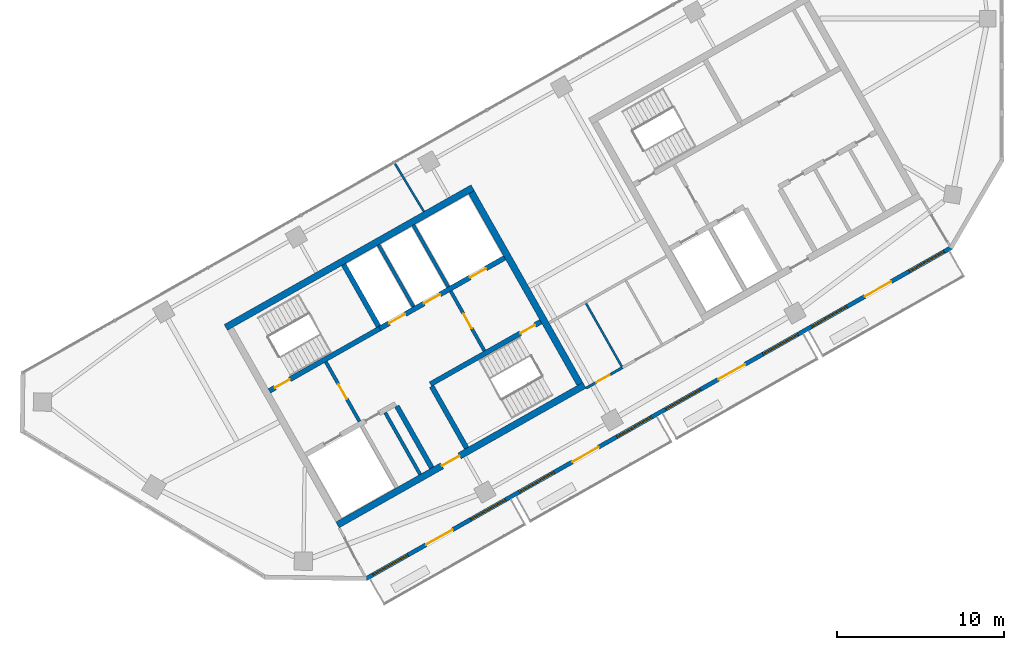
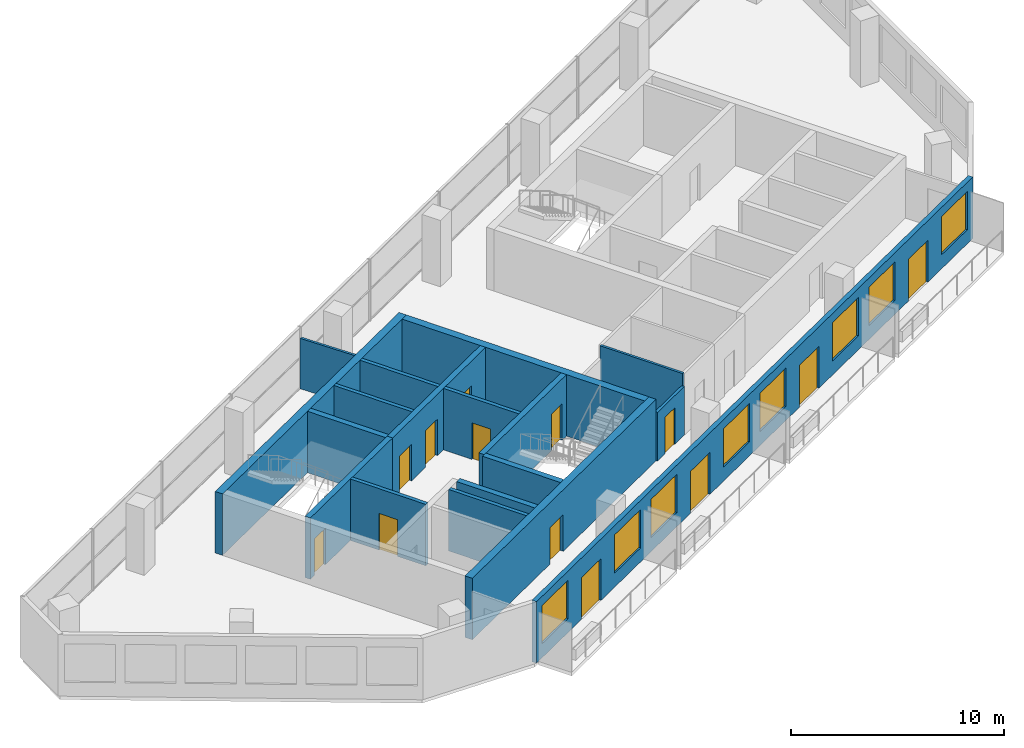
# One storey, part 6 of 10: 18 walls, 13 doors, 8 windows, 21 openings.
"""IFC4 building model written with IfcOpenShell, lengths in metres."""

from ifc_helpers import new_model, si_unit, direction, frame, frame_2d, origin, place, context, subcontext, project, spatial, rectangle, extrude, material, layer, layer_set, type_object, element, fill, save


model = new_model("IFC4")

# Units and contexts
model_context = context("Model", 3, precision=1e-05, world=origin(), true_north=direction((0.0, 1.0)))
body_context = subcontext(model_context, "Body", "Model", "MODEL_VIEW")
ifc_project = project(units=[si_unit("LENGTHUNIT", "METRE"), si_unit("AREAUNIT", "SQUARE_METRE"), si_unit("VOLUMEUNIT", "CUBIC_METRE"), si_unit("PLANEANGLEUNIT", "RADIAN"), si_unit("MASSUNIT", "GRAM", prefix="KILO")], contexts=[model_context])

# Site, building, storey
site_placement = place(None, origin())
site = spatial("IfcSite", under=ifc_project, at=site_placement, CompositionType="ELEMENT")
building_placement = place(site_placement, origin())
building = spatial("IfcBuilding", under=site, at=building_placement, Name="Binnacle Exchange Tower", CompositionType="ELEMENT")
storey_placement = place(building_placement, frame((0.0, 0.0, 335.5)))
storey = spatial("IfcBuildingStorey", under=building, at=storey_placement, Name="L76", CompositionType="ELEMENT", Elevation=335.5)

# Wall, openings, doors
ifc_material_1 = material(Name="Concrete C70/85", Category="concrete")
ifc_layer_1 = layer(ifc_material_1, 0.300048828125)
ifc_layer_set_1 = layer_set([ifc_layer_1], Name="Core wall - front 300")
wall_type_1 = type_object("IfcWallType", Name="Core wall - front 300", PredefinedType="SOLIDWALL", material=ifc_layer_set_1)
wall_1_placement = place(storey_placement, frame((-37.281982421875, 41.4345703125, 0.0), z_axis=(0.0, 0.0, 1.0), x_axis=(0.870361315115, 0.492413628113, 0.0)))
wall_1 = element("IfcWall", 1, at=wall_1_placement, inside=storey, type_object=wall_type_1, Name="Core wall CRWA5", PredefinedType="SOLIDWALL", context=body_context, shape_type="SweptSolid", body=[
    extrude(rectangle(XDim=8.599609375, YDim=0.300048828125, at=frame_2d((4.2998046875, 0.0))), origin(), (0.0, 0.0, 1.0), 3.52001953125),
])
opening_1_placement = place(wall_1_placement, frame((0.650146484375, 0.0, 0.0)))
opening_1 = element("IfcOpeningElement", 2, at=opening_1_placement, cuts=wall_1, Name="Opening LD9", PredefinedType="OPENING", context=body_context, shape_type="SweptSolid", body=[
    extrude(rectangle(XDim=1.10009765625, YDim=2.10009765625, at=frame_2d((0.550048828125, 1.050048828125))), frame((0.0, 0.159912109375, 0.0), z_axis=(0.0, -1.0, 0.0), x_axis=(1.0, 0.0, 0.0)), (0.0, 0.0, 1.0), 0.320068359375),
])
opening_2_placement = place(wall_1_placement, frame((3.050048828125, 0.0, 0.0)))
opening_2 = element("IfcOpeningElement", 3, at=opening_2_placement, cuts=wall_1, Name="Opening LD10", PredefinedType="OPENING", context=body_context, shape_type="SweptSolid", body=[
    extrude(rectangle(XDim=1.10009765625, YDim=2.10009765625, at=frame_2d((0.550048828125, 1.050048828125))), frame((0.0, 0.159912109375, 0.0), z_axis=(0.0, -1.0, 0.0), x_axis=(1.0, 0.0, 0.0)), (0.0, 0.0, 1.0), 0.320068359375),
])
opening_3_placement = place(wall_1_placement, frame((6.199951171875, 0.0, 0.0)))
opening_3 = element("IfcOpeningElement", 4, at=opening_3_placement, cuts=wall_1, Name="Opening LD13", PredefinedType="OPENING", context=body_context, shape_type="SweptSolid", body=[
    extrude(rectangle(XDim=1.10009765625, YDim=2.10009765625, at=frame_2d((0.550048828125, 1.050048828125))), frame((0.0, 0.159912109375, 0.0), z_axis=(0.0, -1.0, 0.0), x_axis=(1.0, 0.0, 0.0)), (0.0, 0.0, 1.0), 0.320068359375),
])
ifc_material_2 = material(Name="Steel door leaf", Category="steel")
door_type_1 = type_object("IfcDoorType", Name="Fire door - lift landing 1100", OperationType="NOTDEFINED", PredefinedType="DOOR", material=ifc_material_2)
door_1_placement = place(opening_1_placement, origin())
door_1 = element("IfcDoor", 5, at=door_1_placement, inside=storey, type_object=door_type_1, Name="Landing door LD9 L76", OperationType="DOUBLE_DOOR_SLIDING", OverallHeight=2.10009765625, OverallWidth=1.10009765625, PredefinedType="DOOR", context=body_context, shape_type="SweptSolid", body=[
    extrude(rectangle(XDim=1.10009765625, YDim=2.10009765625, at=frame_2d((0.550048828125, 1.050048828125))), frame((0.0, 0.02490234375, 0.0), z_axis=(0.0, -1.0, 0.0), x_axis=(1.0, 0.0, 0.0)), (0.0, 0.0, 1.0), 0.050048828125),
])
fill(opening_1, door_1)
door_2_placement = place(opening_2_placement, origin())
door_2 = element("IfcDoor", 6, at=door_2_placement, inside=storey, type_object=door_type_1, Name="Landing door LD10 L76", OperationType="DOUBLE_DOOR_SLIDING", OverallHeight=2.10009765625, OverallWidth=1.10009765625, PredefinedType="DOOR", context=body_context, shape_type="SweptSolid", body=[
    extrude(rectangle(XDim=1.10009765625, YDim=2.10009765625, at=frame_2d((0.550048828125, 1.050048828125))), frame((0.0, 0.02490234375, 0.0), z_axis=(0.0, -1.0, 0.0), x_axis=(1.0, 0.0, 0.0)), (0.0, 0.0, 1.0), 0.050048828125),
])
fill(opening_2, door_2)
door_3_placement = place(opening_3_placement, origin())
door_3 = element("IfcDoor", 7, at=door_3_placement, inside=storey, type_object=door_type_1, Name="Landing door LD13 L76", OperationType="DOUBLE_DOOR_SLIDING", OverallHeight=2.10009765625, OverallWidth=1.10009765625, PredefinedType="DOOR", context=body_context, shape_type="SweptSolid", body=[
    extrude(rectangle(XDim=1.10009765625, YDim=2.10009765625, at=frame_2d((0.550048828125, 1.050048828125))), frame((0.0, 0.02490234375, 0.0), z_axis=(0.0, -1.0, 0.0), x_axis=(1.0, 0.0, 0.0)), (0.0, 0.0, 1.0), 0.050048828125),
])
fill(opening_3, door_3)

# Wall
wall_2_placement = place(storey_placement, frame((-36.260009765625, 36.784912109375, 0.0), z_axis=(0.0, 0.0, 1.0), x_axis=(0.492422543467, -0.870356271124, 0.0)))
element("IfcWall", 8, at=wall_2_placement, inside=storey, type_object=wall_type_1, Name="Core wall CRWA13", PredefinedType="SOLIDWALL", context=body_context, shape_type="SweptSolid", body=[
    extrude(rectangle(XDim=4.25, YDim=0.300048828125, at=frame_2d((2.125, 0.0))), origin(), (0.0, 0.0, 1.0), 3.52001953125),
])

# Wall, opening, door
ifc_layer_2 = layer(ifc_material_1, 0.39990234375)
ifc_layer_set_2 = layer_set([ifc_layer_2], Name="Core wall - outer 400")
wall_type_2 = type_object("IfcWallType", Name="Core wall - outer 400", PredefinedType="SOLIDWALL", material=ifc_layer_set_2)
wall_3_placement = place(storey_placement, frame((-39.81298828125, 29.661865234375, 0.0), z_axis=(0.0, 0.0, 1.0), x_axis=(0.870350116061, 0.492433422375, 0.0)))
wall_3 = element("IfcWall", 9, at=wall_3_placement, inside=storey, type_object=wall_type_2, Name="Core wall CRWA1", PredefinedType="SOLIDWALL", context=body_context, shape_type="SweptSolid", body=[
    extrude(rectangle(XDim=17.0, YDim=0.39990234375, at=frame_2d((8.5, 0.0))), origin(), (0.0, 0.0, 1.0), 3.52001953125),
])
opening_4_placement = place(wall_3_placement, frame((7.199951171875, 0.0, 0.0)))
opening_4 = element("IfcOpeningElement", 10, at=opening_4_placement, cuts=wall_3, Name="Opening DA7", PredefinedType="OPENING", context=body_context, shape_type="SweptSolid", body=[
    extrude(rectangle(XDim=1.199951171875, YDim=2.10009765625, at=frame_2d((0.60009765625, 1.050048828125))), frame((0.0, 0.2099609375, 0.0), z_axis=(0.0, -1.0, 0.0), x_axis=(1.0, 0.0, 0.0)), (0.0, 0.0, 1.0), 0.419921875),
])
door_type_2 = type_object("IfcDoorType", Name="Fire door 1200", OperationType="NOTDEFINED", PredefinedType="DOOR", material=ifc_material_2)
door_4_placement = place(opening_4_placement, frame((1.199951171875, 0.0, 0.0), z_axis=(0.0, 0.0, 1.0), x_axis=(-1.0, 0.0, 0.0)))
door_4 = element("IfcDoor", 11, at=door_4_placement, inside=storey, type_object=door_type_2, Name="Lift lobby entrance door core A", OperationType="SINGLE_SWING_RIGHT", OverallHeight=2.10009765625, OverallWidth=1.199951171875, PredefinedType="DOOR", context=body_context, shape_type="SweptSolid", body=[
    extrude(rectangle(XDim=1.199951171875, YDim=2.10009765625, at=frame_2d((0.60009765625, 1.050048828125))), frame((0.0, 0.02490234375, 0.0), z_axis=(0.0, -1.0, 0.0), x_axis=(1.0, 0.0, 0.0)), (0.0, 0.0, 1.0), 0.050048828125),
])
fill(opening_4, door_4)

# Walls
wall_4_placement = place(storey_placement, frame((-46.510009765625, 41.498779296875, 0.0), z_axis=(0.0, 0.0, 1.0), x_axis=(0.870356271124, 0.492422543467, 0.0)))
element("IfcWall", 12, at=wall_4_placement, inside=storey, type_object=wall_type_2, Name="Core wall CRWA6", PredefinedType="SOLIDWALL", context=body_context, shape_type="SweptSolid", body=[
    extrude(rectangle(XDim=16.999755859375, YDim=0.39990234375, at=frame_2d((8.5, 0.0))), origin(), (0.0, 0.0, 1.0), 3.52001953125),
])
wall_5_placement = place(storey_placement, frame((-31.78955078125, 49.597412109375, 0.0), z_axis=(0.0, 0.0, 1.0), x_axis=(0.492421663121, -0.870356769198, 0.0)))
element("IfcWall", 13, at=wall_5_placement, inside=storey, type_object=wall_type_2, Name="Core wall CRWA22", PredefinedType="SOLIDWALL", context=body_context, shape_type="SweptSolid", body=[
    extrude(rectangle(XDim=13.199951171875, YDim=0.39990234375, at=frame_2d((6.60009765625, 0.0))), origin(), (0.0, 0.0, 1.0), 3.52001953125),
])

# Wall, opening, door
ifc_layer_3 = layer(ifc_material_1, 0.300048828125)
ifc_layer_set_3 = layer_set([ifc_layer_3], Name="Core wall - stair 300")
wall_type_3 = type_object("IfcWallType", Name="Core wall - stair 300", PredefinedType="SOLIDWALL", material=ifc_layer_set_3)
wall_6_placement = place(storey_placement, frame((-34.2451171875, 38.097412109375, 0.0), z_axis=(0.0, 0.0, 1.0), x_axis=(0.870356351998, 0.492422400523, 0.0)))
wall_6 = element("IfcWall", 14, at=wall_6_placement, inside=storey, type_object=wall_type_3, Name="Core wall CRWA3", PredefinedType="SOLIDWALL", context=body_context, shape_type="SweptSolid", body=[
    extrude(rectangle(XDim=7.60009765625, YDim=0.300048828125, at=frame_2d((3.800048828125, 0.0))), origin(), (0.0, 0.0, 1.0), 3.52001953125),
])
opening_5_placement = place(wall_6_placement, frame((6.199951171875, 0.0, 0.0)))
opening_5 = element("IfcOpeningElement", 15, at=opening_5_placement, cuts=wall_6, Name="Opening DA2", PredefinedType="OPENING", context=body_context, shape_type="SweptSolid", body=[
    extrude(rectangle(XDim=1.0, YDim=2.10009765625, at=frame_2d((0.5, 1.050048828125))), frame((0.0, 0.159912109375, 0.0), z_axis=(0.0, -1.0, 0.0), x_axis=(1.0, 0.0, 0.0)), (0.0, 0.0, 1.0), 0.320068359375),
])
door_type_3 = type_object("IfcDoorType", Name="Fire door 1000", OperationType="NOTDEFINED", PredefinedType="DOOR", material=ifc_material_2)
door_5_placement = place(opening_5_placement, frame((1.0, 0.0, 0.0), z_axis=(0.0, 0.0, 1.0), x_axis=(-1.0, 0.0, 0.0)))
door_5 = element("IfcDoor", 16, at=door_5_placement, inside=storey, type_object=door_type_3, Name="Stair door ST-A2", OperationType="SINGLE_SWING_LEFT", OverallHeight=2.10009765625, OverallWidth=1.0, PredefinedType="DOOR", context=body_context, shape_type="SweptSolid", body=[
    extrude(rectangle(XDim=1.0, YDim=2.10009765625, at=frame_2d((0.5, 1.050048828125))), frame((0.0, 0.02490234375, 0.0), z_axis=(0.0, -1.0, 0.0), x_axis=(1.0, 0.0, 0.0)), (0.0, 0.0, 1.0), 0.050048828125),
])
fill(opening_5, door_5)

wall_7_placement = place(storey_placement, frame((-43.896728515625, 37.692138671875, 0.0), z_axis=(0.0, 0.0, 1.0), x_axis=(0.870356351998, 0.492422400523, 0.0)))
wall_7 = element("IfcWall", 17, at=wall_7_placement, inside=storey, type_object=wall_type_3, Name="Core wall CRWA4", PredefinedType="SOLIDWALL", context=body_context, shape_type="SweptSolid", body=[
    extrude(rectangle(XDim=7.60009765625, YDim=0.300048828125, at=frame_2d((3.800048828125, 0.0))), origin(), (0.0, 0.0, 1.0), 3.52001953125),
])
opening_6_placement = place(wall_7_placement, frame((0.39990234375, 0.0, 0.0)))
opening_6 = element("IfcOpeningElement", 18, at=opening_6_placement, cuts=wall_7, Name="Opening DA1", PredefinedType="OPENING", context=body_context, shape_type="SweptSolid", body=[
    extrude(rectangle(XDim=1.0, YDim=2.10009765625, at=frame_2d((0.5, 1.050048828125))), frame((0.0, 0.159912109375, 0.0), z_axis=(0.0, -1.0, 0.0), x_axis=(1.0, 0.0, 0.0)), (0.0, 0.0, 1.0), 0.320068359375),
])
door_6_placement = place(opening_6_placement, origin())
door_6 = element("IfcDoor", 19, at=door_6_placement, inside=storey, type_object=door_type_3, Name="Stair door ST-A1", OperationType="SINGLE_SWING_LEFT", OverallHeight=2.10009765625, OverallWidth=1.0, PredefinedType="DOOR", context=body_context, shape_type="SweptSolid", body=[
    extrude(rectangle(XDim=1.0, YDim=2.10009765625, at=frame_2d((0.5, 1.050048828125))), frame((0.0, 0.02490234375, 0.0), z_axis=(0.0, -1.0, 0.0), x_axis=(1.0, 0.0, 0.0)), (0.0, 0.0, 1.0), 0.050048828125),
])
fill(opening_6, door_6)

# Walls
for number, where, z_axis, x_axis, name in (
    (20, (-39.44873046875, 45.263916015625, 0.0), (0.0, 0.0, 1.0), (0.492422543467, -0.870356271124, 0.0), "Core wall CRWA14"),
    (21, (-34.171142578125, 37.966796875, 0.0), (0.0, 0.0, 1.0), (0.492422543467, -0.870356271124, 0.0), "Core wall CRWA16"),
):
    element("IfcWall", number, at=place(storey_placement, frame(where, z_axis=z_axis, x_axis=x_axis)), inside=storey, type_object=wall_type_3, Name=name, PredefinedType="SOLIDWALL", context=body_context, shape_type="SweptSolid", body=[
        extrude(rectangle(XDim=4.25, YDim=0.300048828125, at=frame_2d((2.125, 0.0))), origin(), (0.0, 0.0, 1.0), 3.52001953125),
    ])

# Wall, openings, doors, windows
ifc_material_3 = material(Name="Bronze aluminium cladding", Category="aluminium")
ifc_layer_4 = layer(ifc_material_3, 0.25)
ifc_layer_set_4 = layer_set([ifc_layer_4], Name="External wall - window wall 250")
wall_type_4 = type_object("IfcWallType", Name="External wall - window wall 250", PredefinedType="STANDARD", material=ifc_layer_set_4)
wall_8_placement = place(storey_placement, frame((-3.016845703125, 46.293212890625, 0.0), z_axis=(0.0, 0.0, 1.0), x_axis=(-0.870355474887, -0.492423950812, 0.0)))
wall_8 = element("IfcWall", 22, at=wall_8_placement, inside=storey, type_object=wall_type_4, Name="External wall EW-H07 L76", PredefinedType="STANDARD", context=body_context, shape_type="SweptSolid", body=[
    extrude(rectangle(XDim=40.34033203125, YDim=0.25, at=frame_2d((20.170166015625, 0.0))), origin(), (0.0, 0.0, 1.0), 3.52001953125),
])
opening_7_placement = place(wall_8_placement, frame((37.428466796875, 0.0, 0.800048828125)))
opening_7 = element("IfcOpeningElement", 23, at=opening_7_placement, cuts=wall_8, Name="Opening WR2", PredefinedType="OPENING", context=body_context, shape_type="SweptSolid", body=[
    extrude(rectangle(XDim=2.39990234375, YDim=2.199951171875, at=frame_2d((1.199951171875, 1.10009765625))), frame((0.0, 0.135009765625, 0.0), z_axis=(0.0, -1.0, 0.0), x_axis=(1.0, 0.0, 0.0)), (0.0, 0.0, 1.0), 0.27001953125),
])
opening_8_placement = place(wall_8_placement, frame((34.372314453125, 0.0, 0.0)))
opening_8 = element("IfcOpeningElement", 24, at=opening_8_placement, cuts=wall_8, Name="Opening D-FS22-01", PredefinedType="OPENING", context=body_context, shape_type="SweptSolid", body=[
    extrude(rectangle(XDim=1.800048828125, YDim=2.39990234375, at=frame_2d((0.89990234375, 1.199951171875))), frame((0.0, 0.135009765625, 0.0), z_axis=(0.0, -1.0, 0.0), x_axis=(1.0, 0.0, 0.0)), (0.0, 0.0, 1.0), 0.27001953125),
])
opening_9_placement = place(wall_8_placement, frame((30.71630859375, 0.0, 0.800048828125)))
opening_9 = element("IfcOpeningElement", 25, at=opening_9_placement, cuts=wall_8, Name="Opening WR2", PredefinedType="OPENING", context=body_context, shape_type="SweptSolid", body=[
    extrude(rectangle(XDim=2.39990234375, YDim=2.199951171875, at=frame_2d((1.199951171875, 1.10009765625))), frame((0.0, 0.135009765625, 0.0), z_axis=(0.0, -1.0, 0.0), x_axis=(1.0, 0.0, 0.0)), (0.0, 0.0, 1.0), 0.27001953125),
])
opening_10_placement = place(wall_8_placement, frame((27.3603515625, 0.0, 0.800048828125)))
opening_10 = element("IfcOpeningElement", 26, at=opening_10_placement, cuts=wall_8, Name="Opening WR2", PredefinedType="OPENING", context=body_context, shape_type="SweptSolid", body=[
    extrude(rectangle(XDim=2.39990234375, YDim=2.199951171875, at=frame_2d((1.199951171875, 1.10009765625))), frame((0.0, 0.135009765625, 0.0), z_axis=(0.0, -1.0, 0.0), x_axis=(1.0, 0.0, 0.0)), (0.0, 0.0, 1.0), 0.27001953125),
])
opening_11_placement = place(wall_8_placement, frame((24.30419921875, 0.0, 0.0)))
opening_11 = element("IfcOpeningElement", 27, at=opening_11_placement, cuts=wall_8, Name="Opening D-FS22-02", PredefinedType="OPENING", context=body_context, shape_type="SweptSolid", body=[
    extrude(rectangle(XDim=1.800048828125, YDim=2.39990234375, at=frame_2d((0.89990234375, 1.199951171875))), frame((0.0, 0.135009765625, 0.0), z_axis=(0.0, -1.0, 0.0), x_axis=(1.0, 0.0, 0.0)), (0.0, 0.0, 1.0), 0.27001953125),
])
opening_12_placement = place(wall_8_placement, frame((20.648193359375, 0.0, 0.800048828125)))
opening_12 = element("IfcOpeningElement", 28, at=opening_12_placement, cuts=wall_8, Name="Opening WR2", PredefinedType="OPENING", context=body_context, shape_type="SweptSolid", body=[
    extrude(rectangle(XDim=2.39990234375, YDim=2.199951171875, at=frame_2d((1.199951171875, 1.10009765625))), frame((0.0, 0.135009765625, 0.0), z_axis=(0.0, -1.0, 0.0), x_axis=(1.0, 0.0, 0.0)), (0.0, 0.0, 1.0), 0.27001953125),
])
opening_13_placement = place(wall_8_placement, frame((17.2919921875, 0.0, 0.800048828125)))
opening_13 = element("IfcOpeningElement", 29, at=opening_13_placement, cuts=wall_8, Name="Opening WR2", PredefinedType="OPENING", context=body_context, shape_type="SweptSolid", body=[
    extrude(rectangle(XDim=2.39990234375, YDim=2.199951171875, at=frame_2d((1.199951171875, 1.10009765625))), frame((0.0, 0.135009765625, 0.0), z_axis=(0.0, -1.0, 0.0), x_axis=(1.0, 0.0, 0.0)), (0.0, 0.0, 1.0), 0.27001953125),
])
opening_14_placement = place(wall_8_placement, frame((14.236083984375, 0.0, 0.0)))
opening_14 = element("IfcOpeningElement", 30, at=opening_14_placement, cuts=wall_8, Name="Opening D-FS22-03", PredefinedType="OPENING", context=body_context, shape_type="SweptSolid", body=[
    extrude(rectangle(XDim=1.800048828125, YDim=2.39990234375, at=frame_2d((0.89990234375, 1.199951171875))), frame((0.0, 0.135009765625, 0.0), z_axis=(0.0, -1.0, 0.0), x_axis=(1.0, 0.0, 0.0)), (0.0, 0.0, 1.0), 0.27001953125),
])
opening_15_placement = place(wall_8_placement, frame((10.580078125, 0.0, 0.800048828125)))
opening_15 = element("IfcOpeningElement", 31, at=opening_15_placement, cuts=wall_8, Name="Opening WR2", PredefinedType="OPENING", context=body_context, shape_type="SweptSolid", body=[
    extrude(rectangle(XDim=2.39990234375, YDim=2.199951171875, at=frame_2d((1.199951171875, 1.10009765625))), frame((0.0, 0.135009765625, 0.0), z_axis=(0.0, -1.0, 0.0), x_axis=(1.0, 0.0, 0.0)), (0.0, 0.0, 1.0), 0.27001953125),
])
opening_16_placement = place(wall_8_placement, frame((7.223876953125, 0.0, 0.800048828125)))
opening_16 = element("IfcOpeningElement", 32, at=opening_16_placement, cuts=wall_8, Name="Opening WR2", PredefinedType="OPENING", context=body_context, shape_type="SweptSolid", body=[
    extrude(rectangle(XDim=2.39990234375, YDim=2.199951171875, at=frame_2d((1.199951171875, 1.10009765625))), frame((0.0, 0.135009765625, 0.0), z_axis=(0.0, -1.0, 0.0), x_axis=(1.0, 0.0, 0.0)), (0.0, 0.0, 1.0), 0.27001953125),
])
opening_17_placement = place(wall_8_placement, frame((4.16796875, 0.0, 0.0)))
opening_17 = element("IfcOpeningElement", 33, at=opening_17_placement, cuts=wall_8, Name="Opening D-FS22-04", PredefinedType="OPENING", context=body_context, shape_type="SweptSolid", body=[
    extrude(rectangle(XDim=1.800048828125, YDim=2.39990234375, at=frame_2d((0.89990234375, 1.199951171875))), frame((0.0, 0.135009765625, 0.0), z_axis=(0.0, -1.0, 0.0), x_axis=(1.0, 0.0, 0.0)), (0.0, 0.0, 1.0), 0.27001953125),
])
opening_18_placement = place(wall_8_placement, frame((0.51171875, 0.0, 0.800048828125)))
opening_18 = element("IfcOpeningElement", 34, at=opening_18_placement, cuts=wall_8, Name="Opening WR2", PredefinedType="OPENING", context=body_context, shape_type="SweptSolid", body=[
    extrude(rectangle(XDim=2.39990234375, YDim=2.199951171875, at=frame_2d((1.199951171875, 1.10009765625))), frame((0.0, 0.135009765625, 0.0), z_axis=(0.0, -1.0, 0.0), x_axis=(1.0, 0.0, 0.0)), (0.0, 0.0, 1.0), 0.27001953125),
])
ifc_material_4 = material(Name="Bronze anodised aluminium frame", Category="aluminium")
door_type_4 = type_object("IfcDoorType", Name="DB DOOR 1800x2400", OperationType="DOUBLE_DOOR_SINGLE_SWING", PredefinedType="DOOR", material=ifc_material_4)
door_7_placement = place(opening_8_placement, origin())
door_7 = element("IfcDoor", 35, at=door_7_placement, inside=storey, type_object=door_type_4, Name="Door D-FS22-01 L76", OperationType="DOUBLE_DOOR_SINGLE_SWING", OverallHeight=2.39990234375, OverallWidth=1.800048828125, PredefinedType="DOOR", context=body_context, shape_type="SweptSolid", body=[
    extrude(rectangle(XDim=1.800048828125, YDim=2.39990234375, at=frame_2d((0.89990234375, 1.199951171875))), frame((0.0, 0.02490234375, 0.0), z_axis=(0.0, -1.0, 0.0), x_axis=(1.0, 0.0, 0.0)), (0.0, 0.0, 1.0), 0.050048828125),
])
fill(opening_8, door_7)
door_8_placement = place(opening_11_placement, origin())
door_8 = element("IfcDoor", 36, at=door_8_placement, inside=storey, type_object=door_type_4, Name="Door D-FS22-02 L76", OperationType="DOUBLE_DOOR_SINGLE_SWING", OverallHeight=2.39990234375, OverallWidth=1.800048828125, PredefinedType="DOOR", context=body_context, shape_type="SweptSolid", body=[
    extrude(rectangle(XDim=1.800048828125, YDim=2.39990234375, at=frame_2d((0.89990234375, 1.199951171875))), frame((0.0, 0.02490234375, 0.0), z_axis=(0.0, -1.0, 0.0), x_axis=(1.0, 0.0, 0.0)), (0.0, 0.0, 1.0), 0.050048828125),
])
fill(opening_11, door_8)
door_9_placement = place(opening_14_placement, origin())
door_9 = element("IfcDoor", 37, at=door_9_placement, inside=storey, type_object=door_type_4, Name="Door D-FS22-03 L76", OperationType="DOUBLE_DOOR_SINGLE_SWING", OverallHeight=2.39990234375, OverallWidth=1.800048828125, PredefinedType="DOOR", context=body_context, shape_type="SweptSolid", body=[
    extrude(rectangle(XDim=1.800048828125, YDim=2.39990234375, at=frame_2d((0.89990234375, 1.199951171875))), frame((0.0, 0.02490234375, 0.0), z_axis=(0.0, -1.0, 0.0), x_axis=(1.0, 0.0, 0.0)), (0.0, 0.0, 1.0), 0.050048828125),
])
fill(opening_14, door_9)
door_10_placement = place(opening_17_placement, origin())
door_10 = element("IfcDoor", 38, at=door_10_placement, inside=storey, type_object=door_type_4, Name="Door D-FS22-04 L76", OperationType="DOUBLE_DOOR_SINGLE_SWING", OverallHeight=2.39990234375, OverallWidth=1.800048828125, PredefinedType="DOOR", context=body_context, shape_type="SweptSolid", body=[
    extrude(rectangle(XDim=1.800048828125, YDim=2.39990234375, at=frame_2d((0.89990234375, 1.199951171875))), frame((0.0, 0.02490234375, 0.0), z_axis=(0.0, -1.0, 0.0), x_axis=(1.0, 0.0, 0.0)), (0.0, 0.0, 1.0), 0.050048828125),
])
fill(opening_17, door_10)
window_type = type_object("IfcWindowType", Name="WR2 WINDOW 2400x2200", PartitioningType="SINGLE_PANEL", PredefinedType="WINDOW", material=ifc_material_4)
window_1_placement = place(opening_7_placement, origin())
window_1 = element("IfcWindow", 39, at=window_1_placement, inside=storey, type_object=window_type, Name="Window WR2 L76", OverallHeight=2.199951171875, OverallWidth=2.39990234375, PartitioningType="SINGLE_PANEL", PredefinedType="WINDOW", context=body_context, shape_type="SweptSolid", body=[
    extrude(rectangle(XDim=2.39990234375, YDim=2.199951171875, at=frame_2d((1.199951171875, 1.10009765625))), frame((0.0, 0.030029296875, 0.0), z_axis=(0.0, -1.0, 0.0), x_axis=(1.0, 0.0, 0.0)), (0.0, 0.0, 1.0), 0.06005859375),
])
fill(opening_7, window_1)
window_2_placement = place(opening_9_placement, origin())
window_2 = element("IfcWindow", 40, at=window_2_placement, inside=storey, type_object=window_type, Name="Window WR2 L76", OverallHeight=2.199951171875, OverallWidth=2.39990234375, PartitioningType="SINGLE_PANEL", PredefinedType="WINDOW", context=body_context, shape_type="SweptSolid", body=[
    extrude(rectangle(XDim=2.39990234375, YDim=2.199951171875, at=frame_2d((1.199951171875, 1.10009765625))), frame((0.0, 0.030029296875, 0.0), z_axis=(0.0, -1.0, 0.0), x_axis=(1.0, 0.0, 0.0)), (0.0, 0.0, 1.0), 0.06005859375),
])
fill(opening_9, window_2)
window_3_placement = place(opening_10_placement, origin())
window_3 = element("IfcWindow", 41, at=window_3_placement, inside=storey, type_object=window_type, Name="Window WR2 L76", OverallHeight=2.199951171875, OverallWidth=2.39990234375, PartitioningType="SINGLE_PANEL", PredefinedType="WINDOW", context=body_context, shape_type="SweptSolid", body=[
    extrude(rectangle(XDim=2.39990234375, YDim=2.199951171875, at=frame_2d((1.199951171875, 1.10009765625))), frame((0.0, 0.030029296875, 0.0), z_axis=(0.0, -1.0, 0.0), x_axis=(1.0, 0.0, 0.0)), (0.0, 0.0, 1.0), 0.06005859375),
])
fill(opening_10, window_3)
window_4_placement = place(opening_12_placement, origin())
window_4 = element("IfcWindow", 42, at=window_4_placement, inside=storey, type_object=window_type, Name="Window WR2 L76", OverallHeight=2.199951171875, OverallWidth=2.39990234375, PartitioningType="SINGLE_PANEL", PredefinedType="WINDOW", context=body_context, shape_type="SweptSolid", body=[
    extrude(rectangle(XDim=2.39990234375, YDim=2.199951171875, at=frame_2d((1.199951171875, 1.10009765625))), frame((0.0, 0.030029296875, 0.0), z_axis=(0.0, -1.0, 0.0), x_axis=(1.0, 0.0, 0.0)), (0.0, 0.0, 1.0), 0.06005859375),
])
fill(opening_12, window_4)
window_5_placement = place(opening_13_placement, origin())
window_5 = element("IfcWindow", 43, at=window_5_placement, inside=storey, type_object=window_type, Name="Window WR2 L76", OverallHeight=2.199951171875, OverallWidth=2.39990234375, PartitioningType="SINGLE_PANEL", PredefinedType="WINDOW", context=body_context, shape_type="SweptSolid", body=[
    extrude(rectangle(XDim=2.39990234375, YDim=2.199951171875, at=frame_2d((1.199951171875, 1.10009765625))), frame((0.0, 0.030029296875, 0.0), z_axis=(0.0, -1.0, 0.0), x_axis=(1.0, 0.0, 0.0)), (0.0, 0.0, 1.0), 0.06005859375),
])
fill(opening_13, window_5)
window_6_placement = place(opening_15_placement, origin())
window_6 = element("IfcWindow", 44, at=window_6_placement, inside=storey, type_object=window_type, Name="Window WR2 L76", OverallHeight=2.199951171875, OverallWidth=2.39990234375, PartitioningType="SINGLE_PANEL", PredefinedType="WINDOW", context=body_context, shape_type="SweptSolid", body=[
    extrude(rectangle(XDim=2.39990234375, YDim=2.199951171875, at=frame_2d((1.199951171875, 1.10009765625))), frame((0.0, 0.030029296875, 0.0), z_axis=(0.0, -1.0, 0.0), x_axis=(1.0, 0.0, 0.0)), (0.0, 0.0, 1.0), 0.06005859375),
])
fill(opening_15, window_6)
window_7_placement = place(opening_16_placement, origin())
window_7 = element("IfcWindow", 45, at=window_7_placement, inside=storey, type_object=window_type, Name="Window WR2 L76", OverallHeight=2.199951171875, OverallWidth=2.39990234375, PartitioningType="SINGLE_PANEL", PredefinedType="WINDOW", context=body_context, shape_type="SweptSolid", body=[
    extrude(rectangle(XDim=2.39990234375, YDim=2.199951171875, at=frame_2d((1.199951171875, 1.10009765625))), frame((0.0, 0.030029296875, 0.0), z_axis=(0.0, -1.0, 0.0), x_axis=(1.0, 0.0, 0.0)), (0.0, 0.0, 1.0), 0.06005859375),
])
fill(opening_16, window_7)
window_8_placement = place(opening_18_placement, origin())
window_8 = element("IfcWindow", 46, at=window_8_placement, inside=storey, type_object=window_type, Name="Window WR2 L76", OverallHeight=2.199951171875, OverallWidth=2.39990234375, PartitioningType="SINGLE_PANEL", PredefinedType="WINDOW", context=body_context, shape_type="SweptSolid", body=[
    extrude(rectangle(XDim=2.39990234375, YDim=2.199951171875, at=frame_2d((1.199951171875, 1.10009765625))), frame((0.0, 0.030029296875, 0.0), z_axis=(0.0, -1.0, 0.0), x_axis=(1.0, 0.0, 0.0)), (0.0, 0.0, 1.0), 0.06005859375),
])
fill(opening_18, window_8)

# Wall, opening, door
ifc_material_5 = material(Name="Masonry block wall", Category="masonry")
ifc_layer_5 = layer(ifc_material_5, 0.199951171875)
ifc_layer_set_5 = layer_set([ifc_layer_5], Name="Fire wall - vestibule 200")
wall_type_5 = type_object("IfcWallType", Name="Fire wall - vestibule 200", PredefinedType="PARTITIONING", material=ifc_layer_set_5)
wall_9_placement = place(storey_placement, frame((-40.515625, 39.4326171875, 0.0), z_axis=(0.0, 0.0, 1.0), x_axis=(0.492453559952, -0.87033872216, 0.0)))
wall_9 = element("IfcWall", 47, at=wall_9_placement, inside=storey, type_object=wall_type_5, Name="Core wall CRWA10", PredefinedType="PARTITIONING", context=body_context, shape_type="SweptSolid", body=[
    extrude(rectangle(XDim=4.099853515625, YDim=0.199951171875, at=frame_2d((2.0498046875, 0.0))), origin(), (0.0, 0.0, 1.0), 3.52001953125),
])
opening_19_placement = place(wall_9_placement, frame((1.550048828125, 0.0, 0.0)))
opening_19 = element("IfcOpeningElement", 48, at=opening_19_placement, cuts=wall_9, Name="Opening DA3", PredefinedType="OPENING", context=body_context, shape_type="SweptSolid", body=[
    extrude(rectangle(XDim=1.0, YDim=2.10009765625, at=frame_2d((0.5, 1.050048828125))), frame((0.0, 0.10986328125, 0.0), z_axis=(0.0, -1.0, 0.0), x_axis=(1.0, 0.0, 0.0)), (0.0, 0.0, 1.0), 0.219970703125),
])
door_11_placement = place(opening_19_placement, frame((1.0, 0.0, 0.0), z_axis=(0.0, 0.0, 1.0), x_axis=(-1.0, 0.0, 0.0)))
door_11 = element("IfcDoor", 49, at=door_11_placement, inside=storey, type_object=door_type_3, Name="Vestibule door VEST-W", OperationType="SINGLE_SWING_LEFT", OverallHeight=2.10009765625, OverallWidth=1.0, PredefinedType="DOOR", context=body_context, shape_type="SweptSolid", body=[
    extrude(rectangle(XDim=1.0, YDim=2.10009765625, at=frame_2d((0.5, 1.050048828125))), frame((0.0, 0.02490234375, 0.0), z_axis=(0.0, -1.0, 0.0), x_axis=(1.0, 0.0, 0.0)), (0.0, 0.0, 1.0), 0.050048828125),
])
fill(opening_19, door_11)

wall_10_placement = place(storey_placement, frame((-33.030517578125, 43.66748046875, 0.0), z_axis=(0.0, 0.0, 1.0), x_axis=(0.492408451753, -0.87036424366, 0.0)))
wall_10 = element("IfcWall", 50, at=wall_10_placement, inside=storey, type_object=wall_type_5, Name="Core wall CRWA19", PredefinedType="PARTITIONING", context=body_context, shape_type="SweptSolid", body=[
    extrude(rectangle(XDim=4.099853515625, YDim=0.199951171875, at=frame_2d((2.0498046875, 0.0))), origin(), (0.0, 0.0, 1.0), 3.52001953125),
])
opening_20_placement = place(wall_10_placement, frame((1.550048828125, 0.0, 0.0)))
opening_20 = element("IfcOpeningElement", 51, at=opening_20_placement, cuts=wall_10, Name="Opening DA4", PredefinedType="OPENING", context=body_context, shape_type="SweptSolid", body=[
    extrude(rectangle(XDim=1.0, YDim=2.10009765625, at=frame_2d((0.5, 1.050048828125))), frame((0.0, 0.10986328125, 0.0), z_axis=(0.0, -1.0, 0.0), x_axis=(1.0, 0.0, 0.0)), (0.0, 0.0, 1.0), 0.219970703125),
])
door_12_placement = place(opening_20_placement, origin())
door_12 = element("IfcDoor", 52, at=door_12_placement, inside=storey, type_object=door_type_3, Name="Vestibule door VEST-E", OperationType="SINGLE_SWING_RIGHT", OverallHeight=2.10009765625, OverallWidth=1.0, PredefinedType="DOOR", context=body_context, shape_type="SweptSolid", body=[
    extrude(rectangle(XDim=1.0, YDim=2.10009765625, at=frame_2d((0.5, 1.050048828125))), frame((0.0, 0.02490234375, 0.0), z_axis=(0.0, -1.0, 0.0), x_axis=(1.0, 0.0, 0.0)), (0.0, 0.0, 1.0), 0.050048828125),
])
fill(opening_20, door_12)

ifc_material_6 = material(Name="Gypsum partition fire rated")
ifc_layer_6 = layer(ifc_material_6, 0.14990234375)
ifc_layer_set_6 = layer_set([ifc_layer_6], Name="Fire-rated partition 150")
wall_type_6 = type_object("IfcWallType", Name="Fire-rated partition 150", PredefinedType="PARTITIONING", material=ifc_layer_set_6)
wall_11_placement = place(storey_placement, frame((-24.9189453125, 37.85888671875, 0.0), z_axis=(0.0, 0.0, 1.0), x_axis=(0.870344512032, 0.49244332707, 0.0)))
wall_11 = element("IfcWall", 53, at=wall_11_placement, inside=storey, type_object=wall_type_6, Name="Partition W06", PredefinedType="PARTITIONING", context=body_context, shape_type="SweptSolid", body=[
    extrude(rectangle(XDim=2.500244140625, YDim=0.14990234375, at=frame_2d((1.25, 0.0))), origin(), (0.0, 0.0, 1.0), 2.7919921875),
])
opening_21_placement = place(wall_11_placement, frame((0.699951171875, 0.0, 0.0)))
opening_21 = element("IfcOpeningElement", 54, at=opening_21_placement, cuts=wall_11, Name="Opening DL74-01", PredefinedType="OPENING", context=body_context, shape_type="SweptSolid", body=[
    extrude(rectangle(XDim=0.89990234375, YDim=2.10009765625, at=frame_2d((0.449951171875, 1.050048828125))), frame((0.0, 0.0849609375, 0.0), z_axis=(0.0, -1.0, 0.0), x_axis=(1.0, 0.0, 0.0)), (0.0, 0.0, 1.0), 0.169921875),
])
door_type_5 = type_object("IfcDoorType", Name="Fire door 900", OperationType="NOTDEFINED", PredefinedType="DOOR", material=ifc_material_2)
door_13_placement = place(opening_21_placement, origin())
door_13 = element("IfcDoor", 55, at=door_13_placement, inside=storey, type_object=door_type_5, Name="Door DL74-01", OperationType="SINGLE_SWING_LEFT", OverallHeight=2.10009765625, OverallWidth=0.89990234375, PredefinedType="DOOR", context=body_context, shape_type="SweptSolid", body=[
    extrude(rectangle(XDim=0.89990234375, YDim=2.10009765625, at=frame_2d((0.449951171875, 1.050048828125))), frame((0.0, 0.02490234375, 0.0), z_axis=(0.0, -1.0, 0.0), x_axis=(1.0, 0.0, 0.0)), (0.0, 0.0, 1.0), 0.050048828125),
])
fill(opening_21, door_13)

# Walls
ifc_material_7 = material(Name="Gypsum partition")
ifc_layer_7 = layer(ifc_material_7, 0.125)
ifc_layer_set_7 = layer_set([ifc_layer_7], Name="Partition 125")
wall_type_7 = type_object("IfcWallType", Name="Partition 125", PredefinedType="PARTITIONING", material=ifc_layer_set_7)
wall_12_placement = place(storey_placement, frame((-36.389892578125, 51.343017578125, 0.0), z_axis=(0.0, 0.0, 1.0), x_axis=(0.516541008997, -0.856262451603, 0.0)))
element("IfcWall", 56, at=wall_12_placement, inside=storey, type_object=wall_type_7, Name="Partition W02", PredefinedType="PARTITIONING", context=body_context, shape_type="SweptSolid", body=[
    extrude(rectangle(XDim=3.385498046875, YDim=0.125, at=frame_2d((1.69287109375, 0.0))), origin(), (0.0, 0.0, 1.0), 2.887939453125),
])
wall_13_placement = place(storey_placement, frame((-24.958984375, 43.007080078125, 0.0), z_axis=(0.0, 0.0, 1.0), x_axis=(0.492412939134, -0.87036170491, 0.0)))
element("IfcWall", 57, at=wall_13_placement, inside=storey, type_object=wall_type_7, Name="Partition W04", PredefinedType="PARTITIONING", context=body_context, shape_type="SweptSolid", body=[
    extrude(rectangle(XDim=4.50048828125, YDim=0.125, at=frame_2d((2.250244140625, 0.0))), origin(), (0.0, 0.0, 1.0), 3.52001953125),
])
ifc_layer_8 = layer(ifc_material_5, 0.199951171875)
ifc_layer_set_8 = layer_set([ifc_layer_8], Name="Riser wall 200")
wall_type_8 = type_object("IfcWallType", Name="Riser wall 200", PredefinedType="SOLIDWALL", material=ifc_layer_set_8)
wall_14_placement = place(storey_placement, frame((-36.956298828125, 36.39111328125, 0.0), z_axis=(0.0, 0.0, 1.0), x_axis=(0.492397924348, -0.870370199454, 0.0)))
element("IfcWall", 58, at=wall_14_placement, inside=storey, type_object=wall_type_8, Name="Core wall CRWA12", PredefinedType="SOLIDWALL", context=body_context, shape_type="SweptSolid", body=[
    extrude(rectangle(XDim=4.250244140625, YDim=0.199951171875, at=frame_2d((2.125, 0.0))), origin(), (0.0, 0.0, 1.0), 3.52001953125),
])
ifc_layer_9 = layer(ifc_material_5, 0.199951171875)
ifc_layer_set_9 = layer_set([ifc_layer_9], Name="Shaft wall 200")
wall_type_9 = type_object("IfcWallType", Name="Shaft wall 200", PredefinedType="SOLIDWALL", material=ifc_layer_set_9)
for number, where, z_axis, x_axis, name in (
    (59, (-37.35986328125, 46.44580078125, 0.0), (0.0, 0.0, 1.0), (0.492422543467, -0.870356271124, 0.0), "Core wall CRWA17"),
    (60, (-35.27099609375, 47.627685546875, 0.0), (0.0, 0.0, 1.0), (0.492422543467, -0.870356271124, 0.0), "Core wall CRWA21"),
):
    element("IfcWall", number, at=place(storey_placement, frame(where, z_axis=z_axis, x_axis=x_axis)), inside=storey, type_object=wall_type_9, Name=name, PredefinedType="SOLIDWALL", context=body_context, shape_type="SweptSolid", body=[
        extrude(rectangle(XDim=4.25, YDim=0.199951171875, at=frame_2d((2.125, 0.0))), origin(), (0.0, 0.0, 1.0), 3.52001953125),
    ])

save(model, "model.ifc")
